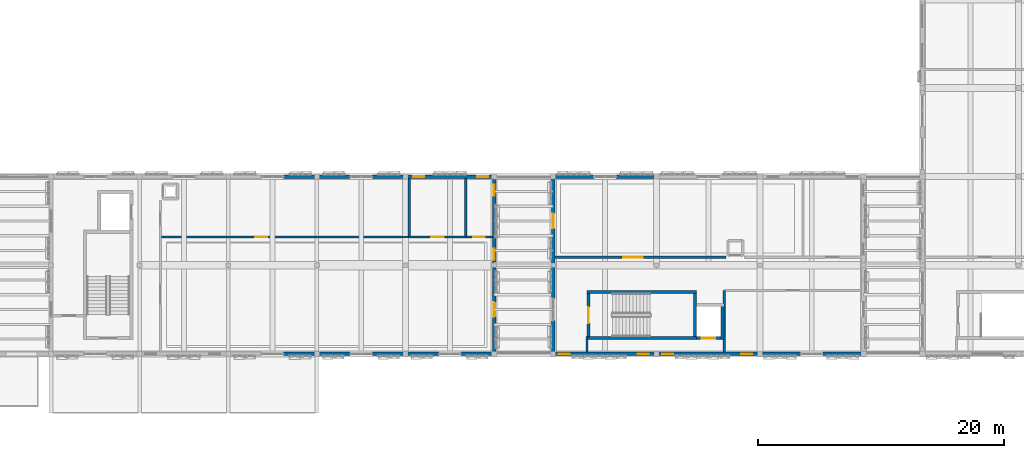
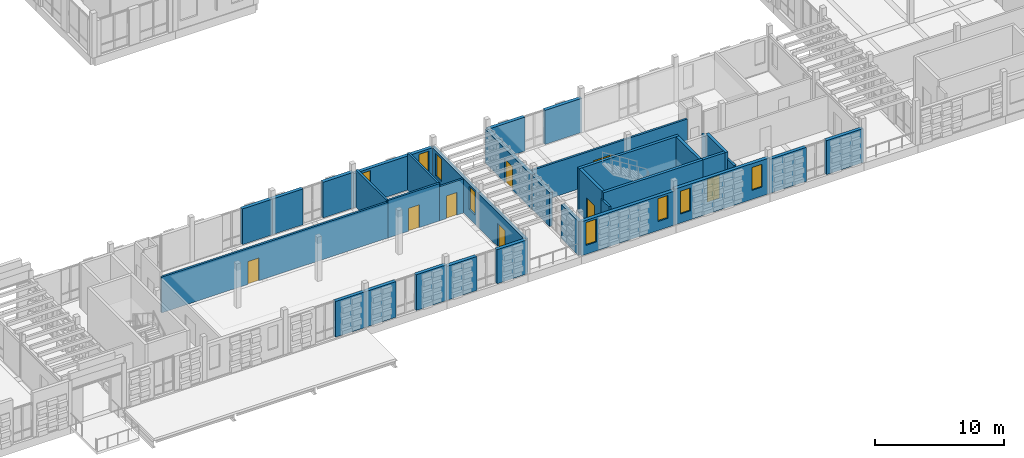
# One storey, part 67 of 99: 34 walls, 8 doors, 8 windows, 16 openings.
"""IFC4 building model written with IfcOpenShell, lengths in metres."""

from ifc_helpers import new_model, si_unit, direction, frame, frame_2d, origin, place, context, subcontext, project, spatial, rectangle, extrude, material, layer, layer_set, type_object, element, fill, save


model = new_model("IFC4")

# Units and contexts
model_context = context("Model", 3, precision=1e-05, world=origin(), true_north=direction((0.0, 1.0)))
body_context = subcontext(model_context, "Body", "Model", "MODEL_VIEW")
ifc_project = project(units=[si_unit("LENGTHUNIT", "METRE"), si_unit("AREAUNIT", "SQUARE_METRE"), si_unit("VOLUMEUNIT", "CUBIC_METRE"), si_unit("PLANEANGLEUNIT", "RADIAN"), si_unit("MASSUNIT", "GRAM", prefix="KILO")], contexts=[model_context])

# Site, building, storey
site_placement = place(None, origin())
site = spatial("IfcSite", under=ifc_project, at=site_placement, CompositionType="ELEMENT")
building_placement = place(site_placement, origin())
building = spatial("IfcBuilding", under=site, at=building_placement, Name="Kahlenmark Community Centre", CompositionType="ELEMENT")
storey_placement = place(building_placement, frame((0.0, 0.0, 5.39990234375)))
storey = spatial("IfcBuildingStorey", under=building, at=storey_placement, Name="L01", CompositionType="ELEMENT", Elevation=5.39990234375)

# Wall, opening, door
ifc_material_1 = material(Name="Concrete C35/45", Category="concrete")
ifc_layer_1 = layer(ifc_material_1, 0.25)
ifc_layer_set_1 = layer_set([ifc_layer_1], Name="Concrete C35/45")
wall_type_1 = type_object("IfcWallType", Name="WT-CORE-250", PredefinedType="SHEAR", material=ifc_layer_set_1)
wall_1_placement = place(storey_placement, frame((94.47509765625, 13.699951171875, 0.0), z_axis=(0.0, 0.0, 1.0), x_axis=(0.0, -1.0, 0.0)))
wall_1 = element("IfcWall", 1, at=wall_1_placement, inside=storey, type_object=wall_type_1, Name="Core K7 shear wall WL-CORE-K7-L01-0260", PredefinedType="SHEAR", context=body_context, shape_type="SweptSolid", body=[
    extrude(rectangle(XDim=3.5, YDim=0.25, at=frame_2d((1.75, 0.0))), origin(), (0.0, 0.0, 1.0), 4.2001953125),
])
opening_1_placement = place(wall_1_placement, frame((1.10009765625, 0.0, -0.010009765625)))
opening_1 = element("IfcOpeningElement", 2, at=opening_1_placement, cuts=wall_1, Name="Opening FD-K7-L01", PredefinedType="OPENING", context=body_context, shape_type="SweptSolid", body=[
    extrude(rectangle(XDim=1.300048828125, YDim=2.159912109375, at=frame_2d((0.64990234375, 1.080078125))), frame((0.0, 0.135009765625, 0.0), z_axis=(0.0, -1.0, 0.0), x_axis=(1.0, 0.0, 0.0)), (0.0, 0.0, 1.0), 0.27001953125),
])
ifc_material_2 = material(Name="Fire-rated steel-framed timber door FD60S", Category="steel")
door_type_1 = type_object("IfcDoorType", Name="DT-FD-K7-L01", OperationType="NOTDEFINED", PredefinedType="DOOR", material=ifc_material_2)
door_1_placement = place(opening_1_placement, frame((1.300048828125, 0.0, 0.010009765625), z_axis=(0.0, 0.0, 1.0), x_axis=(-1.0, 0.0, 0.0)))
door_1 = element("IfcDoor", 3, at=door_1_placement, inside=storey, type_object=door_type_1, Name="Core K7 stair fire door L01", OperationType="SINGLE_SWING_LEFT", OverallHeight=2.14990234375, OverallWidth=1.300048828125, PredefinedType="DOOR", context=body_context, shape_type="SweptSolid", body=[
    extrude(rectangle(XDim=1.300048828125, YDim=2.14990234375, at=frame_2d((0.64990234375, 1.074951171875))), frame((0.0, 0.02490234375, 0.0), z_axis=(0.0, -1.0, 0.0), x_axis=(1.0, 0.0, 0.0)), (0.0, 0.0, 1.0), 0.050048828125),
])
fill(opening_1, door_1)

# Walls
for number, where, z_axis, x_axis, name in (
    (4, (94.35009765625, 10.074951171875, 0.0), (0.0, 0.0, 1.0), (1.0, 0.0, 0.0), "Core K7 shear wall WL-CORE-K7-L01-0261"),
    (5, (94.35009765625, 13.824951171875, 0.0), (0.0, 0.0, 1.0), (1.0, 0.0, 0.0), "Core K7 shear wall WL-CORE-K7-L01-0262"),
):
    element("IfcWall", number, at=place(storey_placement, frame(where, z_axis=z_axis, x_axis=x_axis)), inside=storey, type_object=wall_type_1, Name=name, PredefinedType="SHEAR", context=body_context, shape_type="SweptSolid", body=[
        extrude(rectangle(XDim=8.89990234375, YDim=0.25, at=frame_2d((4.449951171875, 0.0))), origin(), (0.0, 0.0, 1.0), 4.2001953125),
    ])
wall_2_placement = place(storey_placement, frame((103.125, 10.199951171875, 0.0), z_axis=(0.0, 0.0, 1.0), x_axis=(0.0, 1.0, 0.0)))
element("IfcWall", 6, at=wall_2_placement, inside=storey, type_object=wall_type_1, Name="Core K7 shear wall WL-CORE-K7-L01-0263", PredefinedType="SHEAR", context=body_context, shape_type="SweptSolid", body=[
    extrude(rectangle(XDim=3.5, YDim=0.25, at=frame_2d((1.75, 0.0))), origin(), (0.0, 0.0, 1.0), 4.2001953125),
])
wall_3_placement = place(storey_placement, frame((105.3349609375, 9.949951171875, 0.0), z_axis=(0.0, 0.0, 1.0), x_axis=(0.0, 1.0, 0.0)))
element("IfcWall", 7, at=wall_3_placement, inside=storey, type_object=wall_type_1, Name="Core K7 shear wall WL-CORE-K7-L01-0265", PredefinedType="SHEAR", context=body_context, shape_type="SweptSolid", body=[
    extrude(rectangle(XDim=2.9599609375, YDim=0.25, at=frame_2d((1.47998046875, 0.0))), origin(), (0.0, 0.0, 1.0), 4.2001953125),
])

# Wall, opening, door
wall_4_placement = place(storey_placement, frame((103.25, 10.074951171875, 0.0), z_axis=(0.0, 0.0, 1.0), x_axis=(1.0, 0.0, 0.0)))
wall_4 = element("IfcWall", 8, at=wall_4_placement, inside=storey, type_object=wall_type_1, Name="Core K7 shear wall WL-CORE-K7-L01-0266", PredefinedType="SHEAR", context=body_context, shape_type="SweptSolid", body=[
    extrude(rectangle(XDim=1.9599609375, YDim=0.25, at=frame_2d((0.97998046875, 0.0))), origin(), (0.0, 0.0, 1.0), 4.2001953125),
])
opening_2_placement = place(wall_4_placement, frame((0.429931640625, 0.0, -0.010009765625)))
opening_2 = element("IfcOpeningElement", 9, at=opening_2_placement, cuts=wall_4, Name="Opening LD-7", PredefinedType="OPENING", context=body_context, shape_type="SweptSolid", body=[
    extrude(rectangle(XDim=1.10009765625, YDim=2.159912109375, at=frame_2d((0.550048828125, 1.080078125))), frame((0.0, 0.135009765625, 0.0), z_axis=(0.0, -1.0, 0.0), x_axis=(1.0, 0.0, 0.0)), (0.0, 0.0, 1.0), 0.27001953125),
])
ifc_material_3 = material(Name="Brushed stainless steel sliding lift landing door", Category="steel")
door_type_2 = type_object("IfcDoorType", Name="DT-LD-K7", OperationType="SLIDING_TO_LEFT", PredefinedType="DOOR", material=ifc_material_3)
door_2_placement = place(opening_2_placement, frame((0.0, 0.0, 0.010009765625)))
door_2 = element("IfcDoor", 10, at=door_2_placement, inside=storey, type_object=door_type_2, Name="Lift LF-07 sliding landing door L01", OperationType="SLIDING_TO_LEFT", OverallHeight=2.14990234375, OverallWidth=1.10009765625, PredefinedType="DOOR", context=body_context, shape_type="SweptSolid", body=[
    extrude(rectangle(XDim=1.10009765625, YDim=2.14990234375, at=frame_2d((0.550048828125, 1.074951171875))), frame((0.0, 0.02490234375, 0.0), z_axis=(0.0, -1.0, 0.0), x_axis=(1.0, 0.0, 0.0)), (0.0, 0.0, 1.0), 0.050048828125),
])
fill(opening_2, door_2)

# Walls
ifc_material_4 = material(Name="Cross-laminated timber CLT C24", Category="wood")
ifc_layer_2 = layer(ifc_material_4, 0.300048828125)
ifc_layer_set_2 = layer_set([ifc_layer_2], Name="Cross-laminated timber CLT C24")
wall_type_2 = type_object("IfcWallType", Name="WT-EW-300", PredefinedType="SOLIDWALL", material=ifc_layer_set_2)
wall_5_placement = place(storey_placement, frame((69.699951171875, 8.800048828125, 0.0), z_axis=(0.0, 0.0, 1.0), x_axis=(1.0, 0.0, 0.0)))
element("IfcWall", 11, at=wall_5_placement, inside=storey, type_object=wall_type_2, Name="Basketweave backup wall WL-EXT-L01-0301", PredefinedType="SOLIDWALL", context=body_context, shape_type="SweptSolid", body=[
    extrude(rectangle(XDim=2.699951171875, YDim=0.300048828125, at=frame_2d((1.35009765625, 0.0))), origin(), (0.0, 0.0, 1.0), 3.3701171875),
])
for number, where, z_axis, x_axis, name in (
    (12, (72.39990234375, 8.800048828125, 0.0), (0.0, 0.0, 1.0), (1.0, 0.0, 0.0), "Basketweave backup wall WL-EXT-L01-0302"),
    (13, (76.89990234375, 8.800048828125, 0.0), (0.0, 0.0, 1.0), (1.0, 0.0, 0.0), "Basketweave backup wall WL-EXT-L01-0303"),
):
    element("IfcWall", number, at=place(storey_placement, frame(where, z_axis=z_axis, x_axis=x_axis)), inside=storey, type_object=wall_type_2, Name=name, PredefinedType="SOLIDWALL", context=body_context, shape_type="SweptSolid", body=[
        extrude(rectangle(XDim=2.7001953125, YDim=0.300048828125, at=frame_2d((1.35009765625, 0.0))), origin(), (0.0, 0.0, 1.0), 3.3701171875),
    ])
for number, where, z_axis, x_axis, name in (
    (14, (79.60009765625, 8.800048828125, 0.0), (0.0, 0.0, 1.0), (1.0, 0.0, 0.0), "Basketweave backup wall WL-EXT-L01-0304"),
    (15, (84.10009765625, 8.800048828125, 0.0), (0.0, 0.0, 1.0), (1.0, 0.0, 0.0), "Basketweave backup wall WL-EXT-L01-0305"),
):
    element("IfcWall", number, at=place(storey_placement, frame(where, z_axis=z_axis, x_axis=x_axis)), inside=storey, type_object=wall_type_2, Name=name, PredefinedType="SOLIDWALL", context=body_context, shape_type="SweptSolid", body=[
        extrude(rectangle(XDim=2.699951171875, YDim=0.300048828125, at=frame_2d((1.35009765625, 0.0))), origin(), (0.0, 0.0, 1.0), 3.210205078125),
    ])
wall_6_placement = place(storey_placement, frame((72.39990234375, 23.199951171875, 0.0), z_axis=(0.0, 0.0, 1.0), x_axis=(-1.0, 0.0, 0.0)))
element("IfcWall", 16, at=wall_6_placement, inside=storey, type_object=wall_type_2, Name="Basketweave backup wall WL-EXT-L01-0310", PredefinedType="SOLIDWALL", context=body_context, shape_type="SweptSolid", body=[
    extrude(rectangle(XDim=2.699951171875, YDim=0.300048828125, at=frame_2d((1.35009765625, 0.0))), origin(), (0.0, 0.0, 1.0), 3.3701171875),
])
for number, where, z_axis, x_axis, name in (
    (17, (79.60009765625, 23.199951171875, 0.0), (0.0, 0.0, 1.0), (-1.0, 0.0, 0.0), "Basketweave backup wall WL-EXT-L01-0312"),
    (18, (75.10009765625, 23.199951171875, 0.0), (0.0, 0.0, 1.0), (-1.0, 0.0, 0.0), "Basketweave backup wall WL-EXT-L01-0313"),
):
    element("IfcWall", number, at=place(storey_placement, frame(where, z_axis=z_axis, x_axis=x_axis)), inside=storey, type_object=wall_type_2, Name=name, PredefinedType="SOLIDWALL", context=body_context, shape_type="SweptSolid", body=[
        extrude(rectangle(XDim=2.7001953125, YDim=0.300048828125, at=frame_2d((1.35009765625, 0.0))), origin(), (0.0, 0.0, 1.0), 3.3701171875),
    ])

# Wall, openings, windows
wall_7_placement = place(storey_placement, frame((86.800048828125, 23.199951171875, 0.0), z_axis=(0.0, 0.0, 1.0), x_axis=(-1.0, 0.0, 0.0)))
wall_7 = element("IfcWall", 19, at=wall_7_placement, inside=storey, type_object=wall_type_2, Name="Exterior wall WL-EXT-L01-0314", PredefinedType="SOLIDWALL", context=body_context, shape_type="SweptSolid", body=[
    extrude(rectangle(XDim=7.199951171875, YDim=0.300048828125, at=frame_2d((3.60009765625, 0.0))), origin(), (0.0, 0.0, 1.0), 3.210205078125),
])
opening_3_placement = place(wall_7_placement, frame((0.4599609375, 0.0, 0.85009765625)))
opening_3 = element("IfcOpeningElement", 20, at=opening_3_placement, cuts=wall_7, Name="Opening W-090X215", PredefinedType="OPENING", context=body_context, shape_type="SweptSolid", body=[
    extrude(rectangle(XDim=0.89990234375, YDim=2.14990234375, at=frame_2d((0.449951171875, 1.074951171875))), frame((0.0, 0.159912109375, 0.0), z_axis=(0.0, -1.0, 0.0), x_axis=(1.0, 0.0, 0.0)), (0.0, 0.0, 1.0), 0.320068359375),
])
opening_4_placement = place(wall_7_placement, frame((5.659912109375, 0.0, 0.85009765625)))
opening_4 = element("IfcOpeningElement", 21, at=opening_4_placement, cuts=wall_7, Name="Opening W-090X215", PredefinedType="OPENING", context=body_context, shape_type="SweptSolid", body=[
    extrude(rectangle(XDim=0.89990234375, YDim=2.14990234375, at=frame_2d((0.449951171875, 1.074951171875))), frame((0.0, 0.159912109375, 0.0), z_axis=(0.0, -1.0, 0.0), x_axis=(1.0, 0.0, 0.0)), (0.0, 0.0, 1.0), 0.320068359375),
])
ifc_material_5 = material(Name="Recessed basketweave aperture triple glazing", Category="glass")
window_type = type_object("IfcWindowType", Name="WNT-090X215", PartitioningType="SINGLE_PANEL", PredefinedType="WINDOW", material=ifc_material_5)
window_1_placement = place(opening_3_placement, origin())
window_1 = element("IfcWindow", 22, at=window_1_placement, inside=storey, type_object=window_type, Name="Window W-090X215 #0181", OverallHeight=2.14990234375, OverallWidth=0.89990234375, PartitioningType="SINGLE_PANEL", PredefinedType="WINDOW", context=body_context, shape_type="SweptSolid", body=[
    extrude(rectangle(XDim=0.89990234375, YDim=2.14990234375, at=frame_2d((0.449951171875, 1.074951171875))), frame((0.0, 0.030029296875, 0.0), z_axis=(0.0, -1.0, 0.0), x_axis=(1.0, 0.0, 0.0)), (0.0, 0.0, 1.0), 0.06005859375),
])
fill(opening_3, window_1)
window_2_placement = place(opening_4_placement, origin())
window_2 = element("IfcWindow", 23, at=window_2_placement, inside=storey, type_object=window_type, Name="Window W-090X215 #0182", OverallHeight=2.14990234375, OverallWidth=0.89990234375, PartitioningType="SINGLE_PANEL", PredefinedType="WINDOW", context=body_context, shape_type="SweptSolid", body=[
    extrude(rectangle(XDim=0.89990234375, YDim=2.14990234375, at=frame_2d((0.449951171875, 1.074951171875))), frame((0.0, 0.030029296875, 0.0), z_axis=(0.0, -1.0, 0.0), x_axis=(1.0, 0.0, 0.0)), (0.0, 0.0, 1.0), 0.06005859375),
])
fill(opening_4, window_2)

# Wall, opening, door
wall_8_placement = place(storey_placement, frame((86.800048828125, 8.800048828125, 0.0), z_axis=(0.0, 0.0, 1.0), x_axis=(0.0, 1.0, 0.0)))
wall_8 = element("IfcWall", 24, at=wall_8_placement, inside=storey, type_object=wall_type_2, Name="Exterior wall WL-EXT-L01-0318", PredefinedType="SOLIDWALL", context=body_context, shape_type="SweptSolid", body=[
    extrude(rectangle(XDim=7.199951171875, YDim=0.300048828125, at=frame_2d((3.60009765625, 0.0))), origin(), (0.0, 0.0, 1.0), 3.210205078125),
])
opening_5_placement = place(wall_8_placement, frame((3.0, 0.0, -0.010009765625)))
opening_5 = element("IfcOpeningElement", 25, at=opening_5_placement, cuts=wall_8, Name="Opening D-TER03", PredefinedType="OPENING", context=body_context, shape_type="SweptSolid", body=[
    extrude(rectangle(XDim=1.199951171875, YDim=2.2099609375, at=frame_2d((0.60009765625, 1.10498046875))), frame((0.0, 0.159912109375, 0.0), z_axis=(0.0, -1.0, 0.0), x_axis=(1.0, 0.0, 0.0)), (0.0, 0.0, 1.0), 0.320068359375),
])
ifc_material_6 = material(Name="Thermally broken glazed aluminium terrace door", Category="aluminium")
door_type_3 = type_object("IfcDoorType", Name="DT-EXT-120X220", OperationType="NOTDEFINED", PredefinedType="DOOR", material=ifc_material_6)
door_3_placement = place(opening_5_placement, frame((0.0, 0.0, 0.010009765625)))
door_3 = element("IfcDoor", 26, at=door_3_placement, inside=storey, type_object=door_type_3, Name="Exterior door D-TER03", OperationType="SINGLE_SWING_LEFT", OverallHeight=2.199951171875, OverallWidth=1.199951171875, PredefinedType="DOOR", context=body_context, shape_type="SweptSolid", body=[
    extrude(rectangle(XDim=1.199951171875, YDim=2.199951171875, at=frame_2d((0.60009765625, 1.10009765625))), frame((0.0, 0.02490234375, 0.0), z_axis=(0.0, -1.0, 0.0), x_axis=(1.0, 0.0, 0.0)), (0.0, 0.0, 1.0), 0.050048828125),
])
fill(opening_5, door_3)

# Wall, openings, windows
wall_9_placement = place(storey_placement, frame((86.800048828125, 16.0, 0.0), z_axis=(0.0, 0.0, 1.0), x_axis=(0.0, 1.0, 0.0)))
wall_9 = element("IfcWall", 27, at=wall_9_placement, inside=storey, type_object=wall_type_2, Name="Exterior wall WL-EXT-L01-0319", PredefinedType="SOLIDWALL", context=body_context, shape_type="SweptSolid", body=[
    extrude(rectangle(XDim=7.199951171875, YDim=0.300048828125, at=frame_2d((3.60009765625, 0.0))), origin(), (0.0, 0.0, 1.0), 3.210205078125),
])
opening_6_placement = place(wall_9_placement, frame((0.4599609375, 0.0, 0.85009765625)))
opening_6 = element("IfcOpeningElement", 28, at=opening_6_placement, cuts=wall_9, Name="Opening W-090X215", PredefinedType="OPENING", context=body_context, shape_type="SweptSolid", body=[
    extrude(rectangle(XDim=0.89990234375, YDim=2.14990234375, at=frame_2d((0.449951171875, 1.074951171875))), frame((0.0, 0.159912109375, 0.0), z_axis=(0.0, -1.0, 0.0), x_axis=(1.0, 0.0, 0.0)), (0.0, 0.0, 1.0), 0.320068359375),
])
opening_7_placement = place(wall_9_placement, frame((5.659912109375, 0.0, 0.85009765625)))
opening_7 = element("IfcOpeningElement", 29, at=opening_7_placement, cuts=wall_9, Name="Opening W-090X215", PredefinedType="OPENING", context=body_context, shape_type="SweptSolid", body=[
    extrude(rectangle(XDim=0.89990234375, YDim=2.14990234375, at=frame_2d((0.449951171875, 1.074951171875))), frame((0.0, 0.159912109375, 0.0), z_axis=(0.0, -1.0, 0.0), x_axis=(1.0, 0.0, 0.0)), (0.0, 0.0, 1.0), 0.320068359375),
])
window_3_placement = place(opening_6_placement, origin())
window_3 = element("IfcWindow", 30, at=window_3_placement, inside=storey, type_object=window_type, Name="Window W-090X215 #0183", OverallHeight=2.14990234375, OverallWidth=0.89990234375, PartitioningType="SINGLE_PANEL", PredefinedType="WINDOW", context=body_context, shape_type="SweptSolid", body=[
    extrude(rectangle(XDim=0.89990234375, YDim=2.14990234375, at=frame_2d((0.449951171875, 1.074951171875))), frame((0.0, 0.030029296875, 0.0), z_axis=(0.0, -1.0, 0.0), x_axis=(1.0, 0.0, 0.0)), (0.0, 0.0, 1.0), 0.06005859375),
])
fill(opening_6, window_3)
window_4_placement = place(opening_7_placement, origin())
window_4 = element("IfcWindow", 31, at=window_4_placement, inside=storey, type_object=window_type, Name="Window W-090X215 #0184", OverallHeight=2.14990234375, OverallWidth=0.89990234375, PartitioningType="SINGLE_PANEL", PredefinedType="WINDOW", context=body_context, shape_type="SweptSolid", body=[
    extrude(rectangle(XDim=0.89990234375, YDim=2.14990234375, at=frame_2d((0.449951171875, 1.074951171875))), frame((0.0, 0.030029296875, 0.0), z_axis=(0.0, -1.0, 0.0), x_axis=(1.0, 0.0, 0.0)), (0.0, 0.0, 1.0), 0.06005859375),
])
fill(opening_7, window_4)

wall_10_placement = place(storey_placement, frame((91.60009765625, 8.800048828125, 0.0), z_axis=(0.0, 0.0, 1.0), x_axis=(1.0, 0.0, 0.0)))
wall_10 = element("IfcWall", 32, at=wall_10_placement, inside=storey, type_object=wall_type_2, Name="Exterior wall WL-EXT-L01-0368", PredefinedType="SOLIDWALL", context=body_context, shape_type="SweptSolid", body=[
    extrude(rectangle(XDim=8.39990234375, YDim=0.300048828125, at=frame_2d((4.199951171875, 0.0))), origin(), (0.0, 0.0, 1.0), 3.210205078125),
])
opening_8_placement = place(wall_10_placement, frame((0.4599609375, 0.0, 0.85009765625)))
opening_8 = element("IfcOpeningElement", 33, at=opening_8_placement, cuts=wall_10, Name="Opening W-090X215", PredefinedType="OPENING", context=body_context, shape_type="SweptSolid", body=[
    extrude(rectangle(XDim=0.89990234375, YDim=2.14990234375, at=frame_2d((0.449951171875, 1.074951171875))), frame((0.0, 0.159912109375, 0.0), z_axis=(0.0, -1.0, 0.0), x_axis=(1.0, 0.0, 0.0)), (0.0, 0.0, 1.0), 0.320068359375),
])
opening_9_placement = place(wall_10_placement, frame((6.860107421875, 0.0, 0.85009765625)))
opening_9 = element("IfcOpeningElement", 34, at=opening_9_placement, cuts=wall_10, Name="Opening W-090X215", PredefinedType="OPENING", context=body_context, shape_type="SweptSolid", body=[
    extrude(rectangle(XDim=0.89990234375, YDim=2.14990234375, at=frame_2d((0.449951171875, 1.074951171875))), frame((0.0, 0.159912109375, 0.0), z_axis=(0.0, -1.0, 0.0), x_axis=(1.0, 0.0, 0.0)), (0.0, 0.0, 1.0), 0.320068359375),
])
window_5_placement = place(opening_8_placement, origin())
window_5 = element("IfcWindow", 35, at=window_5_placement, inside=storey, type_object=window_type, Name="Window W-090X215 #0225", OverallHeight=2.14990234375, OverallWidth=0.89990234375, PartitioningType="SINGLE_PANEL", PredefinedType="WINDOW", context=body_context, shape_type="SweptSolid", body=[
    extrude(rectangle(XDim=0.89990234375, YDim=2.14990234375, at=frame_2d((0.449951171875, 1.074951171875))), frame((0.0, 0.030029296875, 0.0), z_axis=(0.0, -1.0, 0.0), x_axis=(1.0, 0.0, 0.0)), (0.0, 0.0, 1.0), 0.06005859375),
])
fill(opening_8, window_5)
window_6_placement = place(opening_9_placement, origin())
window_6 = element("IfcWindow", 36, at=window_6_placement, inside=storey, type_object=window_type, Name="Window W-090X215 #0226", OverallHeight=2.14990234375, OverallWidth=0.89990234375, PartitioningType="SINGLE_PANEL", PredefinedType="WINDOW", context=body_context, shape_type="SweptSolid", body=[
    extrude(rectangle(XDim=0.89990234375, YDim=2.14990234375, at=frame_2d((0.449951171875, 1.074951171875))), frame((0.0, 0.030029296875, 0.0), z_axis=(0.0, -1.0, 0.0), x_axis=(1.0, 0.0, 0.0)), (0.0, 0.0, 1.0), 0.06005859375),
])
fill(opening_9, window_6)

wall_11_placement = place(storey_placement, frame((100.0, 8.800048828125, 0.0), z_axis=(0.0, 0.0, 1.0), x_axis=(1.0, 0.0, 0.0)))
wall_11 = element("IfcWall", 37, at=wall_11_placement, inside=storey, type_object=wall_type_2, Name="Exterior wall WL-EXT-L01-0369", PredefinedType="SOLIDWALL", context=body_context, shape_type="SweptSolid", body=[
    extrude(rectangle(XDim=8.39990234375, YDim=0.300048828125, at=frame_2d((4.199951171875, 0.0))), origin(), (0.0, 0.0, 1.0), 3.3701171875),
])
opening_10_placement = place(wall_11_placement, frame((0.4599609375, 0.0, 0.85009765625)))
opening_10 = element("IfcOpeningElement", 38, at=opening_10_placement, cuts=wall_11, Name="Opening W-090X215", PredefinedType="OPENING", context=body_context, shape_type="SweptSolid", body=[
    extrude(rectangle(XDim=0.89990234375, YDim=2.14990234375, at=frame_2d((0.449951171875, 1.074951171875))), frame((0.0, 0.159912109375, 0.0), z_axis=(0.0, -1.0, 0.0), x_axis=(1.0, 0.0, 0.0)), (0.0, 0.0, 1.0), 0.320068359375),
])
opening_11_placement = place(wall_11_placement, frame((6.860107421875, 0.0, 0.85009765625)))
opening_11 = element("IfcOpeningElement", 39, at=opening_11_placement, cuts=wall_11, Name="Opening W-090X215", PredefinedType="OPENING", context=body_context, shape_type="SweptSolid", body=[
    extrude(rectangle(XDim=0.89990234375, YDim=2.14990234375, at=frame_2d((0.449951171875, 1.074951171875))), frame((0.0, 0.159912109375, 0.0), z_axis=(0.0, -1.0, 0.0), x_axis=(1.0, 0.0, 0.0)), (0.0, 0.0, 1.0), 0.320068359375),
])
window_7_placement = place(opening_10_placement, origin())
window_7 = element("IfcWindow", 40, at=window_7_placement, inside=storey, type_object=window_type, Name="Window W-090X215 #0227", OverallHeight=2.14990234375, OverallWidth=0.89990234375, PartitioningType="SINGLE_PANEL", PredefinedType="WINDOW", context=body_context, shape_type="SweptSolid", body=[
    extrude(rectangle(XDim=0.89990234375, YDim=2.14990234375, at=frame_2d((0.449951171875, 1.074951171875))), frame((0.0, 0.030029296875, 0.0), z_axis=(0.0, -1.0, 0.0), x_axis=(1.0, 0.0, 0.0)), (0.0, 0.0, 1.0), 0.06005859375),
])
fill(opening_10, window_7)
window_8_placement = place(opening_11_placement, origin())
window_8 = element("IfcWindow", 41, at=window_8_placement, inside=storey, type_object=window_type, Name="Window W-090X215 #0228", OverallHeight=2.14990234375, OverallWidth=0.89990234375, PartitioningType="SINGLE_PANEL", PredefinedType="WINDOW", context=body_context, shape_type="SweptSolid", body=[
    extrude(rectangle(XDim=0.89990234375, YDim=2.14990234375, at=frame_2d((0.449951171875, 1.074951171875))), frame((0.0, 0.030029296875, 0.0), z_axis=(0.0, -1.0, 0.0), x_axis=(1.0, 0.0, 0.0)), (0.0, 0.0, 1.0), 0.06005859375),
])
fill(opening_11, window_8)

# Walls
for number, where, z_axis, x_axis, name in (
    (42, (108.39990234375, 8.800048828125, 0.0), (0.0, 0.0, 1.0), (1.0, 0.0, 0.0), "Basketweave backup wall WL-EXT-L01-0370"),
    (43, (113.5, 8.800048828125, 0.0), (0.0, 0.0, 1.0), (1.0, 0.0, 0.0), "Basketweave backup wall WL-EXT-L01-0371"),
    (44, (100.0, 23.199951171875, 0.0), (0.0, 0.0, 1.0), (-1.0, 0.0, 0.0), "Basketweave backup wall WL-EXT-L01-0372"),
):
    element("IfcWall", number, at=place(storey_placement, frame(where, z_axis=z_axis, x_axis=x_axis)), inside=storey, type_object=wall_type_2, Name=name, PredefinedType="SOLIDWALL", context=body_context, shape_type="SweptSolid", body=[
        extrude(rectangle(XDim=3.300048828125, YDim=0.300048828125, at=frame_2d((1.64990234375, 0.0))), origin(), (0.0, 0.0, 1.0), 3.210205078125),
    ])
wall_12_placement = place(storey_placement, frame((94.89990234375, 23.199951171875, 0.0), z_axis=(0.0, 0.0, 1.0), x_axis=(-1.0, 0.0, 0.0)))
element("IfcWall", 45, at=wall_12_placement, inside=storey, type_object=wall_type_2, Name="Basketweave backup wall WL-EXT-L01-0373", PredefinedType="SOLIDWALL", context=body_context, shape_type="SweptSolid", body=[
    extrude(rectangle(XDim=3.2998046875, YDim=0.300048828125, at=frame_2d((1.64990234375, 0.0))), origin(), (0.0, 0.0, 1.0), 3.210205078125),
])
for number, where, z_axis, x_axis, name in (
    (46, (91.60009765625, 16.0, 0.0), (0.0, 0.0, 1.0), (0.0, -1.0, 0.0), "Basketweave backup wall WL-EXT-L01-0377"),
    (47, (91.60009765625, 11.5, 0.0), (0.0, 0.0, 1.0), (0.0, -1.0, 0.0), "Basketweave backup wall WL-EXT-L01-0378"),
):
    element("IfcWall", number, at=place(storey_placement, frame(where, z_axis=z_axis, x_axis=x_axis)), inside=storey, type_object=wall_type_2, Name=name, PredefinedType="SOLIDWALL", context=body_context, shape_type="SweptSolid", body=[
        extrude(rectangle(XDim=2.699951171875, YDim=0.300048828125, at=frame_2d((1.35009765625, 0.0))), origin(), (0.0, 0.0, 1.0), 3.210205078125),
    ])

# Wall, opening, door
wall_13_placement = place(storey_placement, frame((91.60009765625, 23.199951171875, 0.0), z_axis=(0.0, 0.0, 1.0), x_axis=(0.0, -1.0, 0.0)))
wall_13 = element("IfcWall", 48, at=wall_13_placement, inside=storey, type_object=wall_type_2, Name="Exterior wall WL-EXT-L01-0379", PredefinedType="SOLIDWALL", context=body_context, shape_type="SweptSolid", body=[
    extrude(rectangle(XDim=7.199951171875, YDim=0.300048828125, at=frame_2d((3.60009765625, 0.0))), origin(), (0.0, 0.0, 1.0), 3.210205078125),
])
opening_12_placement = place(wall_13_placement, frame((3.0, 0.0, -0.010009765625)))
opening_12 = element("IfcOpeningElement", 49, at=opening_12_placement, cuts=wall_13, Name="Opening D-TER04", PredefinedType="OPENING", context=body_context, shape_type="SweptSolid", body=[
    extrude(rectangle(XDim=1.199951171875, YDim=2.2099609375, at=frame_2d((0.60009765625, 1.10498046875))), frame((0.0, 0.159912109375, 0.0), z_axis=(0.0, -1.0, 0.0), x_axis=(1.0, 0.0, 0.0)), (0.0, 0.0, 1.0), 0.320068359375),
])
door_4_placement = place(opening_12_placement, frame((0.0, 0.0, 0.010009765625)))
door_4 = element("IfcDoor", 50, at=door_4_placement, inside=storey, type_object=door_type_3, Name="Exterior door D-TER04", OperationType="SINGLE_SWING_LEFT", OverallHeight=2.199951171875, OverallWidth=1.199951171875, PredefinedType="DOOR", context=body_context, shape_type="SweptSolid", body=[
    extrude(rectangle(XDim=1.199951171875, YDim=2.199951171875, at=frame_2d((0.60009765625, 1.10009765625))), frame((0.0, 0.02490234375, 0.0), z_axis=(0.0, -1.0, 0.0), x_axis=(1.0, 0.0, 0.0)), (0.0, 0.0, 1.0), 0.050048828125),
])
fill(opening_12, door_4)

ifc_material_7 = material(Name="Gypsum plasterboard partition", Category="gypsum")
ifc_layer_3 = layer(ifc_material_7, 0.179931640625)
ifc_layer_set_3 = layer_set([ifc_layer_3], Name="Gypsum plasterboard partition")
wall_type_3 = type_object("IfcWallType", Name="WT-PW-180", PredefinedType="PARTITIONING", material=ifc_layer_set_3)
wall_14_placement = place(storey_placement, frame((59.699951171875, 18.300048828125, 0.0), z_axis=(0.0, 0.0, 1.0), x_axis=(1.0, 0.0, 0.0)))
wall_14 = element("IfcWall", 51, at=wall_14_placement, inside=storey, type_object=wall_type_3, Name="Interior partition WL-INT-L01-0108", PredefinedType="PARTITIONING", context=body_context, shape_type="SweptSolid", body=[
    extrude(rectangle(XDim=20.199951171875, YDim=0.179931640625, at=frame_2d((10.10009765625, 0.0))), origin(), (0.0, 0.0, 1.0), 3.3701171875),
])
opening_13_placement = place(wall_14_placement, frame((7.679931640625, 0.0, -0.010009765625)))
opening_13 = element("IfcOpeningElement", 52, at=opening_13_placement, cuts=wall_14, Name="Opening D-L01-066", PredefinedType="OPENING", context=body_context, shape_type="SweptSolid", body=[
    extrude(rectangle(XDim=1.0, YDim=2.159912109375, at=frame_2d((0.5, 1.080078125))), frame((0.0, 0.099853515625, 0.0), z_axis=(0.0, -1.0, 0.0), x_axis=(1.0, 0.0, 0.0)), (0.0, 0.0, 1.0), 0.199951171875),
])
ifc_material_8 = material(Name="Oak timber veneer door leaf", Category="wood")
door_type_4 = type_object("IfcDoorType", Name="DT-INT-100X215", OperationType="NOTDEFINED", PredefinedType="DOOR", material=ifc_material_8)
door_5_placement = place(opening_13_placement, frame((1.0, 0.0, 0.010009765625), z_axis=(0.0, 0.0, 1.0), x_axis=(-1.0, 0.0, 0.0)))
door_5 = element("IfcDoor", 53, at=door_5_placement, inside=storey, type_object=door_type_4, Name="Interior door D-L01-066", OperationType="SINGLE_SWING_LEFT", OverallHeight=2.14990234375, OverallWidth=1.0, PredefinedType="DOOR", context=body_context, shape_type="SweptSolid", body=[
    extrude(rectangle(XDim=1.0, YDim=2.14990234375, at=frame_2d((0.5, 1.074951171875))), frame((0.0, 0.02490234375, 0.0), z_axis=(0.0, -1.0, 0.0), x_axis=(1.0, 0.0, 0.0)), (0.0, 0.0, 1.0), 0.050048828125),
])
fill(opening_13, door_5)

wall_15_placement = place(storey_placement, frame((79.89990234375, 18.300048828125, 0.0), z_axis=(0.0, 0.0, 1.0), x_axis=(1.0, 0.0, 0.0)))
wall_15 = element("IfcWall", 54, at=wall_15_placement, inside=storey, type_object=wall_type_3, Name="Interior partition WL-INT-L01-0109", PredefinedType="PARTITIONING", context=body_context, shape_type="SweptSolid", body=[
    extrude(rectangle(XDim=4.60009765625, YDim=0.179931640625, at=frame_2d((2.300048828125, 0.0))), origin(), (0.0, 0.0, 1.0), 3.530029296875),
])
opening_14_placement = place(wall_15_placement, frame((1.800048828125, 0.0, -0.010009765625)))
opening_14 = element("IfcOpeningElement", 55, at=opening_14_placement, cuts=wall_15, Name="Opening D-L01-067", PredefinedType="OPENING", context=body_context, shape_type="SweptSolid", body=[
    extrude(rectangle(XDim=1.0, YDim=2.159912109375, at=frame_2d((0.5, 1.080078125))), frame((0.0, 0.099853515625, 0.0), z_axis=(0.0, -1.0, 0.0), x_axis=(1.0, 0.0, 0.0)), (0.0, 0.0, 1.0), 0.199951171875),
])
door_6_placement = place(opening_14_placement, frame((0.0, 0.0, 0.010009765625)))
door_6 = element("IfcDoor", 56, at=door_6_placement, inside=storey, type_object=door_type_4, Name="Interior door D-L01-067", OperationType="SINGLE_SWING_RIGHT", OverallHeight=2.14990234375, OverallWidth=1.0, PredefinedType="DOOR", context=body_context, shape_type="SweptSolid", body=[
    extrude(rectangle(XDim=1.0, YDim=2.14990234375, at=frame_2d((0.5, 1.074951171875))), frame((0.0, 0.02490234375, 0.0), z_axis=(0.0, -1.0, 0.0), x_axis=(1.0, 0.0, 0.0)), (0.0, 0.0, 1.0), 0.050048828125),
])
fill(opening_14, door_6)

wall_16_placement = place(storey_placement, frame((84.5, 18.300048828125, 0.0), z_axis=(0.0, 0.0, 1.0), x_axis=(1.0, 0.0, 0.0)))
wall_16 = element("IfcWall", 57, at=wall_16_placement, inside=storey, type_object=wall_type_3, Name="Interior partition WL-INT-L01-0110", PredefinedType="PARTITIONING", context=body_context, shape_type="SweptSolid", body=[
    extrude(rectangle(XDim=2.159912109375, YDim=0.179931640625, at=frame_2d((1.080078125, 0.0))), origin(), (0.0, 0.0, 1.0), 3.210205078125),
])
opening_15_placement = place(wall_16_placement, frame((0.60498046875, 0.0, -0.010009765625)))
opening_15 = element("IfcOpeningElement", 58, at=opening_15_placement, cuts=wall_16, Name="Opening D-L01-068", PredefinedType="OPENING", context=body_context, shape_type="SweptSolid", body=[
    extrude(rectangle(XDim=0.949951171875, YDim=2.159912109375, at=frame_2d((0.47509765625, 1.080078125))), frame((0.0, 0.099853515625, 0.0), z_axis=(0.0, -1.0, 0.0), x_axis=(1.0, 0.0, 0.0)), (0.0, 0.0, 1.0), 0.199951171875),
])
door_type_5 = type_object("IfcDoorType", Name="DT-INT-95X215", OperationType="NOTDEFINED", PredefinedType="DOOR", material=ifc_material_8)
door_7_placement = place(opening_15_placement, frame((0.0, 0.0, 0.010009765625)))
door_7 = element("IfcDoor", 59, at=door_7_placement, inside=storey, type_object=door_type_5, Name="Interior door D-L01-068", OperationType="SINGLE_SWING_LEFT", OverallHeight=2.14990234375, OverallWidth=0.949951171875, PredefinedType="DOOR", context=body_context, shape_type="SweptSolid", body=[
    extrude(rectangle(XDim=0.949951171875, YDim=2.14990234375, at=frame_2d((0.47509765625, 1.074951171875))), frame((0.0, 0.02490234375, 0.0), z_axis=(0.0, -1.0, 0.0), x_axis=(1.0, 0.0, 0.0)), (0.0, 0.0, 1.0), 0.050048828125),
])
fill(opening_15, door_7)

# Walls
for number, where, z_axis, x_axis, name in (
    (60, (79.89990234375, 18.300048828125, 0.0), (0.0, 0.0, 1.0), (0.0, 1.0, 0.0), "Interior partition WL-INT-L01-0111"),
    (61, (84.5, 18.300048828125, 0.0), (0.0, 0.0, 1.0), (0.0, 1.0, 0.0), "Interior partition WL-INT-L01-0112"),
):
    element("IfcWall", number, at=place(storey_placement, frame(where, z_axis=z_axis, x_axis=x_axis)), inside=storey, type_object=wall_type_3, Name=name, PredefinedType="PARTITIONING", context=body_context, shape_type="SweptSolid", body=[
        extrude(rectangle(XDim=4.760009765625, YDim=0.179931640625, at=frame_2d((2.3798828125, 0.0))), origin(), (0.0, 0.0, 1.0), 3.52001953125),
    ])
wall_17_placement = place(storey_placement, frame((94.35009765625, 8.9599609375, 0.0), z_axis=(0.0, 0.0, 1.0), x_axis=(0.0, 1.0, 0.0)))
element("IfcWall", 62, at=wall_17_placement, inside=storey, type_object=wall_type_3, Name="Interior partition WL-INT-L01-0113", PredefinedType="PARTITIONING", context=body_context, shape_type="SweptSolid", body=[
    extrude(rectangle(XDim=1.239990234375, YDim=0.179931640625, at=frame_2d((0.6201171875, 0.0))), origin(), (0.0, 0.0, 1.0), 3.52001953125),
])
wall_18_placement = place(storey_placement, frame((105.5, 8.93994140625, 0.0), z_axis=(0.0, 0.0, 1.0), x_axis=(0.0, 1.0, 0.0)))
element("IfcWall", 63, at=wall_18_placement, inside=storey, type_object=wall_type_3, Name="Interior partition WL-INT-L01-0114", PredefinedType="PARTITIONING", context=body_context, shape_type="SweptSolid", body=[
    extrude(rectangle(XDim=5.010009765625, YDim=0.179931640625, at=frame_2d((2.5048828125, 0.0))), origin(), (0.0, 0.0, 1.0), 3.52001953125),
])

# Wall, opening, door
wall_19_placement = place(storey_placement, frame((91.739990234375, 16.64990234375, 0.0), z_axis=(0.0, 0.0, 1.0), x_axis=(1.0, 0.0, 0.0)))
wall_19 = element("IfcWall", 64, at=wall_19_placement, inside=storey, type_object=wall_type_3, Name="Interior partition WL-INT-L01-0116", PredefinedType="PARTITIONING", context=body_context, shape_type="SweptSolid", body=[
    extrude(rectangle(XDim=13.909912109375, YDim=0.179931640625, at=frame_2d((6.955078125, 0.0))), origin(), (0.0, 0.0, 1.0), 3.210205078125),
])
opening_16_placement = place(wall_19_placement, frame((5.5400390625, 0.0, -0.010009765625)))
opening_16 = element("IfcOpeningElement", 65, at=opening_16_placement, cuts=wall_19, Name="Opening D-L01-070", PredefinedType="OPENING", context=body_context, shape_type="SweptSolid", body=[
    extrude(rectangle(XDim=1.60009765625, YDim=2.2099609375, at=frame_2d((0.800048828125, 1.10498046875))), frame((0.0, 0.099853515625, 0.0), z_axis=(0.0, -1.0, 0.0), x_axis=(1.0, 0.0, 0.0)), (0.0, 0.0, 1.0), 0.199951171875),
])
ifc_material_9 = material(Name="Oak double-leaf acoustic door")
door_type_6 = type_object("IfcDoorType", Name="DT-DBL-160X220", OperationType="NOTDEFINED", PredefinedType="DOOR", material=ifc_material_9)
door_8_placement = place(opening_16_placement, frame((0.0, 0.0, 0.010009765625)))
door_8 = element("IfcDoor", 66, at=door_8_placement, inside=storey, type_object=door_type_6, Name="Interior door D-L01-070", OperationType="DOUBLE_SWING_LEFT", OverallHeight=2.199951171875, OverallWidth=1.60009765625, PredefinedType="DOOR", context=body_context, shape_type="SweptSolid", body=[
    extrude(rectangle(XDim=1.60009765625, YDim=2.199951171875, at=frame_2d((0.800048828125, 1.10009765625))), frame((0.0, 0.02490234375, 0.0), z_axis=(0.0, -1.0, 0.0), x_axis=(1.0, 0.0, 0.0)), (0.0, 0.0, 1.0), 0.050048828125),
])
fill(opening_16, door_8)

save(model, "model.ifc")
